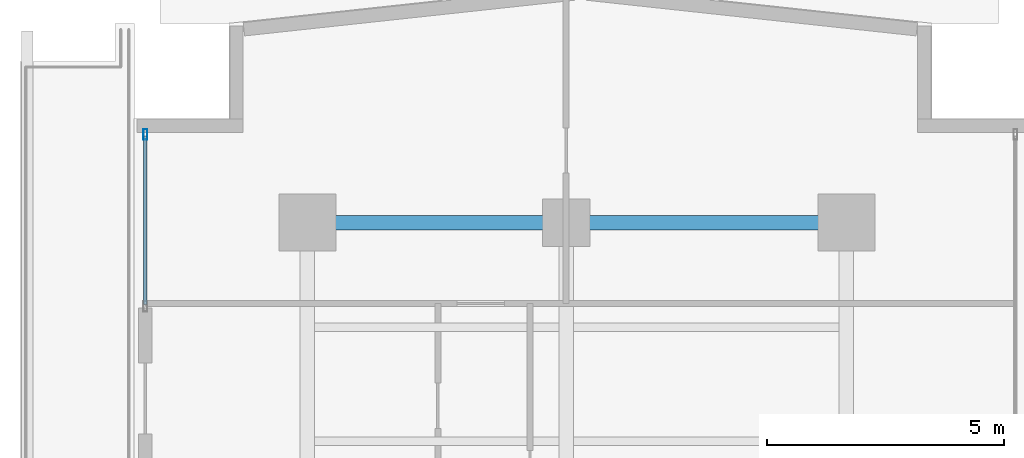
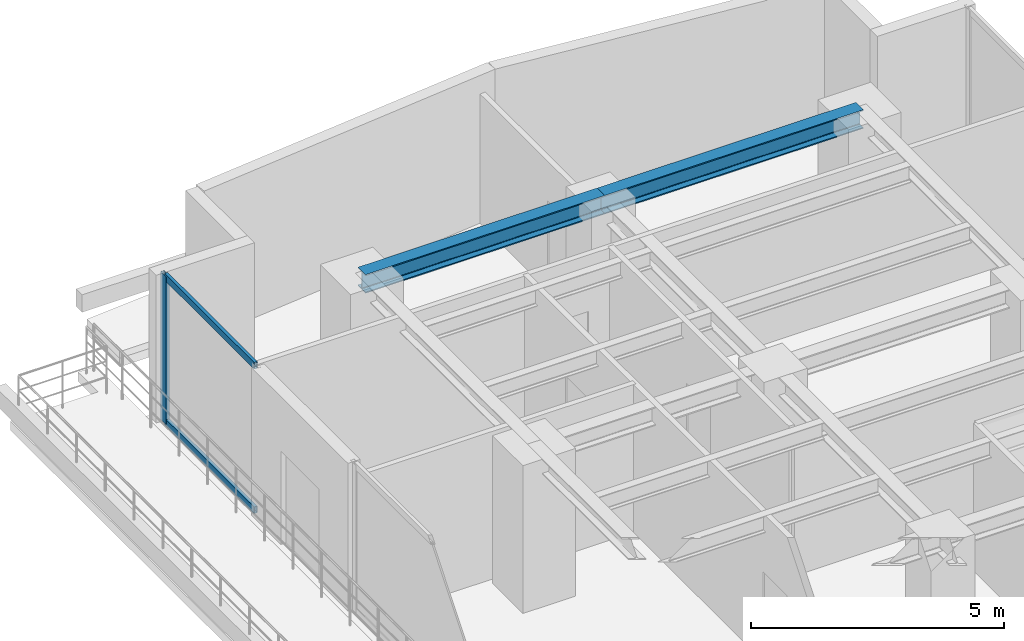
# One storey, part 17 of 28: 3 members, 2 beams, 1 element without a shape of its own.
"""IFC4 building model written with IfcOpenShell, lengths in metres."""

from ifc_helpers import new_model, si_unit, direction, frame, origin, origin_with_axes, origin_2d, place, context, subcontext, project, spatial, hollow_rectangle, i_section, extrude, source, transform, mapped, material, layer, layer_set, material_profile, profile_set, type_object, element, aggregate, save


model = new_model("IFC4")

# Units and contexts
model_context = context("Model", 3, precision=1e-05, world=origin(), true_north=direction((0.0, 1.0)))
body_context = subcontext(model_context, "Body", "Model", "MODEL_VIEW")
ifc_project = project(units=[si_unit("LENGTHUNIT", "METRE"), si_unit("AREAUNIT", "SQUARE_METRE"), si_unit("VOLUMEUNIT", "CUBIC_METRE"), si_unit("PLANEANGLEUNIT", "RADIAN"), si_unit("MASSUNIT", "GRAM", prefix="KILO")], contexts=[model_context])

# Site, building, storey
site_placement = place(None, origin())
site = spatial("IfcSite", under=ifc_project, at=site_placement, CompositionType="ELEMENT")
building_placement = place(site_placement, origin())
building = spatial("IfcBuilding", under=site, at=building_placement, Name="Kolvaren Waterfront Exchange", CompositionType="ELEMENT")
storey_placement = place(building_placement, frame((0.0, 0.0, 146.199951171875)))
storey = spatial("IfcBuildingStorey", under=building, at=storey_placement, Name="L37", CompositionType="ELEMENT", Elevation=146.199951171875)

# Beams
ifc_material_1 = material(Name="Steel S355", Category="steel")
ifc_material_profile_1 = material_profile(ifc_material_1, i_section(OverallWidth=0.300048828125, OverallDepth=0.449951171875, WebThickness=0.013916015625, FlangeThickness=0.02587890625, FilletRadius=0.027099609375, at=origin_2d()), Name="HEB450")
ifc_profile_set_1 = profile_set([ifc_material_profile_1], Name="Steel S355")
beam_type = type_object("IfcBeamType", Name="STR-BM-HEB450", PredefinedType="BEAM", material=ifc_profile_set_1)
beam_1_placement = place(storey_placement, frame((7.449951171875, 44.60009765625, 3.3349609375), z_axis=(1.0, 0.0, 0.0), x_axis=(0.0, 1.0, 0.0)))
element("IfcBeam", 1, at=beam_1_placement, inside=storey, type_object=beam_type, Name="L37 north-arm girder 4A", PredefinedType="BEAM", context=body_context, shape_type="SweptSolid", body=[
    extrude(i_section(OverallWidth=0.300048828125, OverallDepth=0.449951171875, WebThickness=0.013916015625, FlangeThickness=0.02587890625, FilletRadius=0.027099609375, at=origin_2d()), origin(), (0.0, 0.0, 1.0), 5.449951171875),
])
beam_2_placement = place(storey_placement, frame((12.89990234375, 44.60009765625, 3.3349609375), z_axis=(1.0, 0.0, 0.0), x_axis=(0.0, 1.0, 0.0)))
element("IfcBeam", 2, at=beam_2_placement, inside=storey, type_object=beam_type, Name="L37 north-arm girder 4B", PredefinedType="BEAM", context=body_context, shape_type="SweptSolid", body=[
    extrude(i_section(OverallWidth=0.300048828125, OverallDepth=0.449951171875, WebThickness=0.013916015625, FlangeThickness=0.02587890625, FilletRadius=0.027099609375, at=origin_2d()), origin(), (0.0, 0.0, 1.0), 5.900146484375),
])

# Curtain wall, members
ifc_material_2 = material(Name="Anodised aluminium 6063-T6", Category="aluminium")
ifc_layer = layer(ifc_material_2, 0.219970703125, Name="Anodised aluminium 6063-T6")
ifc_layer_set = layer_set([ifc_layer], Name="Anodised aluminium 6063-T6")
curtain_wall_type = type_object("IfcCurtainWallType", Name="ARC-CW-SYS2", PredefinedType="USERDEFINED", material=ifc_layer_set)
curtain_wall_placement = place(storey_placement, origin())
curtain_wall = element("IfcCurtainWall", 3, at=curtain_wall_placement, inside=storey, type_object=curtain_wall_type, Name="L37 stick curtain wall CW2 (CW-L37-W-2)", ObjectType="STICK CURTAIN WALL", PredefinedType="USERDEFINED")
ifc_material_profile_2 = material_profile(ifc_material_2, hollow_rectangle(XDim=0.080078125, YDim=0.219970703125, WallThickness=0.0048828125, at=origin_2d()), Name="ALU-MUL-220x80x5")
ifc_profile_set_2 = profile_set([ifc_material_profile_2], Name="Anodised aluminium 6063-T6")
member_type_1 = type_object("IfcMemberType", Name="ARC-CWM-220", PredefinedType="MULLION", material=ifc_profile_set_2)
shared_shape_1 = source(origin_with_axes(), body_context, "Body", "SweptSolid", [
    extrude(hollow_rectangle(XDim=0.080078125, YDim=0.219970703125, WallThickness=0.0048828125, at=origin_2d()), origin(), (0.0, 0.0, 1.0), 3.56005859375),
])
member_1_placement = place(storey_placement, frame((4.0400390625, 46.4599609375, 0.0), z_axis=(0.0, 0.0, 1.0), x_axis=(-1.0, 0.0, 0.0)))
member_1 = element("IfcMember", 4, at=member_1_placement, type_object=member_type_1, Name="CW2 mullion 2", PredefinedType="MULLION", context=body_context, shape_type="MappedRepresentation", body=[
    mapped(shared_shape_1, transform((0.0, 0.0, 0.0), x_axis=(1.0, 0.0, 0.0), y_axis=(0.0, 1.0, 0.0), z_axis=(0.0, 0.0, 1.0), scale=1.0)),
])
ifc_material_profile_3 = material_profile(ifc_material_2, hollow_rectangle(XDim=0.074951171875, YDim=0.159912109375, WallThickness=0.00439453125, at=origin_2d()), Name="ALU-TRN-160x75x4.5")
ifc_profile_set_3 = profile_set([ifc_material_profile_3], Name="Anodised aluminium 6063-T6")
member_type_2 = type_object("IfcMemberType", Name="ARC-CWT-160", PredefinedType="USERDEFINED", material=ifc_profile_set_3)
shared_shape_2 = source(origin_with_axes(), body_context, "Body", "SweptSolid", [
    extrude(hollow_rectangle(XDim=0.074951171875, YDim=0.159912109375, WallThickness=0.00439453125, at=origin_2d()), origin(), (0.0, 0.0, 1.0), 3.5400390625),
])
member_2_placement = place(storey_placement, frame((4.0400390625, 42.8798828125, 0.03759765625), z_axis=(0.0, 1.0, 0.0), x_axis=(-1.0, 0.0, 0.0)))
member_2 = element("IfcMember", 5, at=member_2_placement, type_object=member_type_2, Name="CW2 transom 1.1", ObjectType="TRANSOM", PredefinedType="USERDEFINED", context=body_context, shape_type="MappedRepresentation", body=[
    mapped(shared_shape_2, transform((0.0, 0.0, 0.0), x_axis=(1.0, 0.0, 0.0), y_axis=(0.0, 1.0, 0.0), z_axis=(0.0, 0.0, 1.0), scale=1.0)),
])
member_3_placement = place(storey_placement, frame((4.0400390625, 42.8798828125, 3.5224609375), z_axis=(0.0, 1.0, 0.0), x_axis=(-1.0, 0.0, 0.0)))
member_3 = element("IfcMember", 6, at=member_3_placement, type_object=member_type_2, Name="CW2 transom 1.2", ObjectType="TRANSOM", PredefinedType="USERDEFINED", context=body_context, shape_type="MappedRepresentation", body=[
    mapped(shared_shape_2, transform((0.0, 0.0, 0.0), x_axis=(1.0, 0.0, 0.0), y_axis=(0.0, 1.0, 0.0), z_axis=(0.0, 0.0, 1.0), scale=1.0)),
])
aggregate(curtain_wall, [member_1, member_2, member_3])

save(model, "model.ifc")
